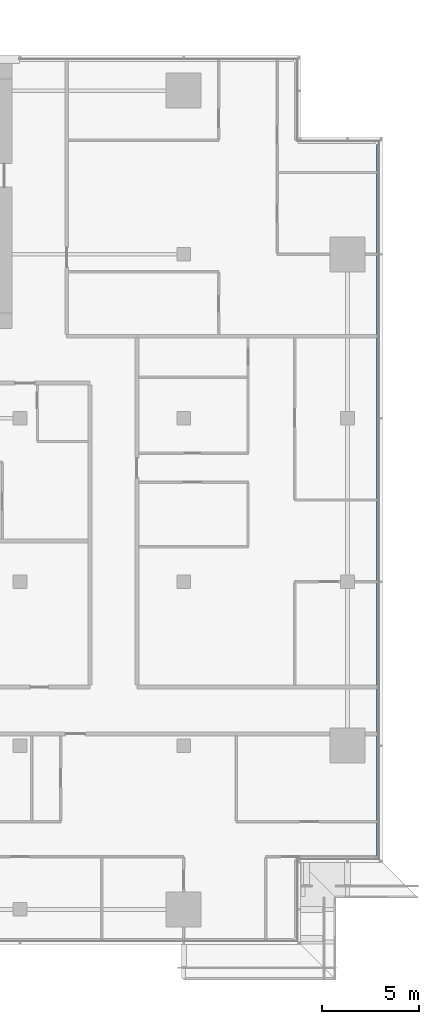
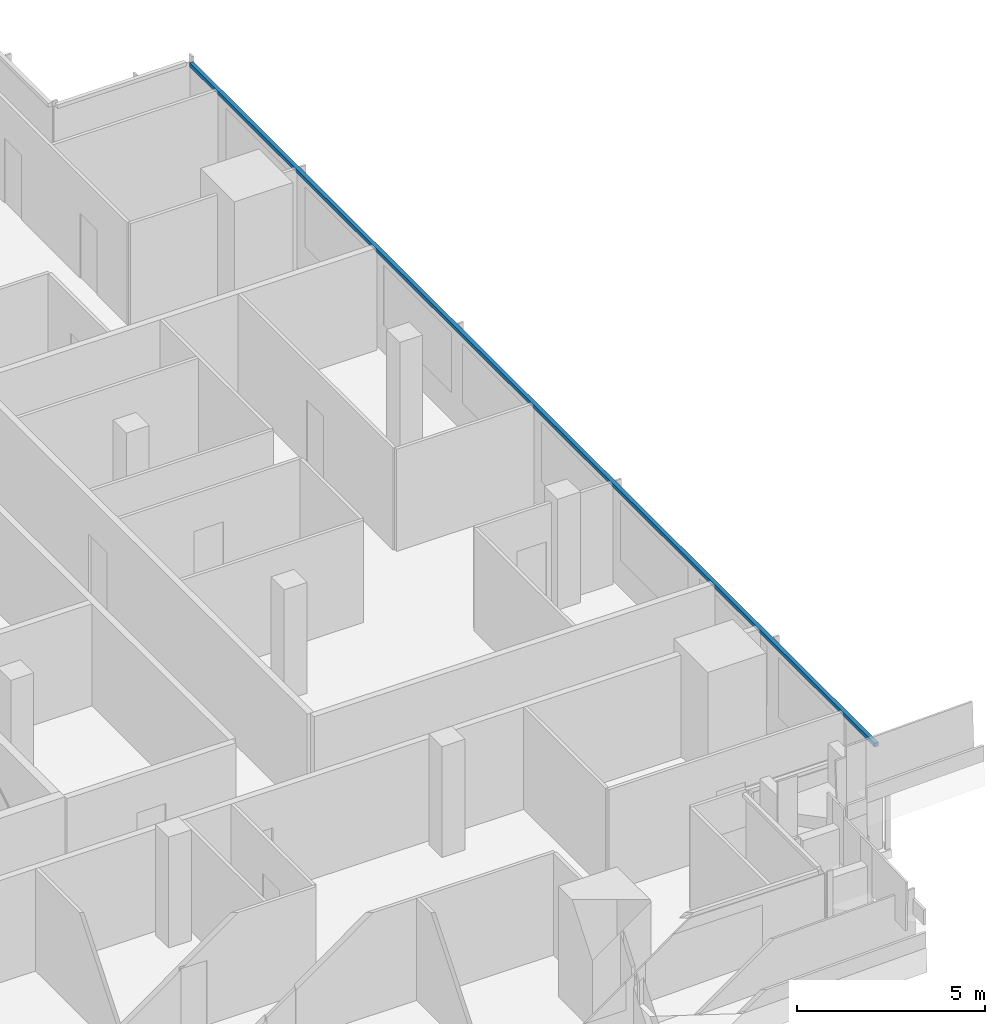
# One storey, part 14 of 30: 1 member, 1 element without a shape of its own.
"""IFC4 building model written with IfcOpenShell, lengths in metres."""

from ifc_helpers import new_model, si_unit, direction, frame, origin, origin_2d, place, context, subcontext, project, spatial, rectangle, extrude, material, material_profile, profile_set, type_object, element, aggregate, save


model = new_model("IFC4")

# Units and contexts
model_context = context("Model", 3, precision=1e-05, world=origin(), true_north=direction((0.0, 1.0)))
body_context = subcontext(model_context, "Body", "Model", "MODEL_VIEW")
ifc_project = project(units=[si_unit("LENGTHUNIT", "METRE"), si_unit("AREAUNIT", "SQUARE_METRE"), si_unit("VOLUMEUNIT", "CUBIC_METRE"), si_unit("PLANEANGLEUNIT", "RADIAN"), si_unit("MASSUNIT", "GRAM", prefix="KILO")], contexts=[model_context])

# Site, building, storey
site_placement = place(None, origin())
site = spatial("IfcSite", under=ifc_project, at=site_placement, CompositionType="ELEMENT")
building_placement = place(site_placement, origin())
building = spatial("IfcBuilding", under=site, at=building_placement, Name="Saffron Gate Tower", CompositionType="ELEMENT")
storey_placement = place(building_placement, frame((0.0, 0.0, 179.85009765625)))
storey = spatial("IfcBuildingStorey", under=building, at=storey_placement, Name="L44", CompositionType="ELEMENT", Elevation=179.85009765625)

# Curtain wall, member
ifc_material = material(Name="Aluminium, bronze anodised", Category="aluminium")
curtain_wall_type = type_object("IfcCurtainWallType", Name="CWS2 curtain wall side facades", PredefinedType="NOTDEFINED", material=ifc_material)
curtain_wall_placement = place(storey_placement, origin())
curtain_wall = element("IfcCurtainWall", 1, at=curtain_wall_placement, inside=storey, type_object=curtain_wall_type, Name="CWS2 run 4", PredefinedType="NOTDEFINED")
ifc_material_profile = material_profile(ifc_material, rectangle(XDim=0.1201171875, YDim=0.1201171875, at=origin_2d()))
ifc_profile_set = profile_set([ifc_material_profile], Name="Aluminium, bronze anodised")
member_type = type_object("IfcMemberType", Name="CWS2 head transom", PredefinedType="USERDEFINED", material=ifc_profile_set)
member_placement = place(storey_placement, frame((126.951904296875, 34.568115234375, 3.260009765625), z_axis=(0.0, 1.0, 0.0), x_axis=(-1.0, 0.0, 0.0)))
member = element("IfcMember", 2, at=member_placement, type_object=member_type, Name="CWS2 head transom", ObjectType="TRANSOM", PredefinedType="USERDEFINED", context=body_context, shape_type="SweptSolid", body=[
    extrude(rectangle(XDim=0.1201171875, YDim=0.1201171875, at=origin_2d()), origin(), (0.0, 0.0, 1.0), 36.4638671875),
])
aggregate(curtain_wall, [member])

save(model, "model.ifc")
